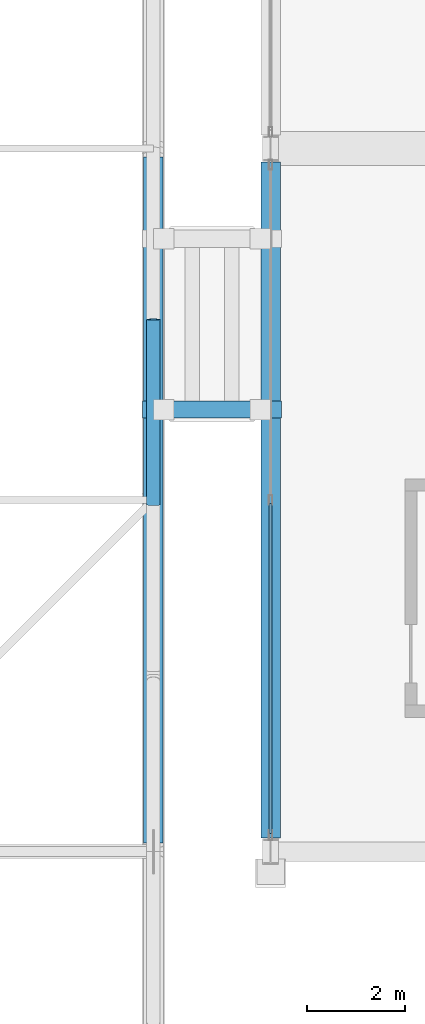
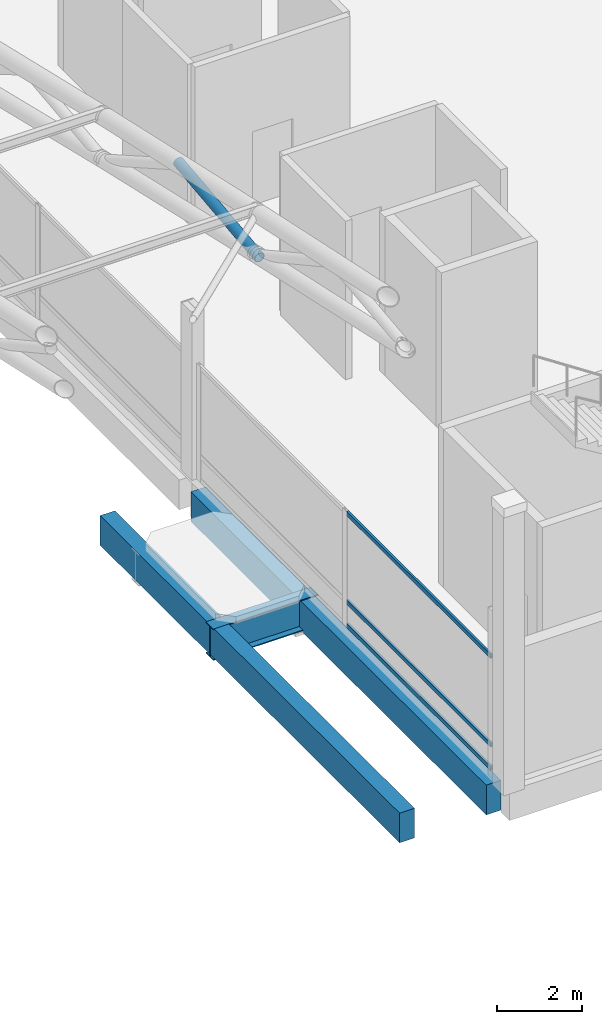
# One storey, part 52 of 193: 4 members, 3 beams, 1 element without a shape of its own.
"""IFC4 building model written with IfcOpenShell, lengths in metres."""

from ifc_helpers import new_model, si_unit, direction, frame, origin, origin_2d, place, context, subcontext, project, spatial, rectangle, hollow_rectangle, hollow_circle, i_section, extrude, material, material_profile, profile_set, type_object, element, aggregate, save


model = new_model("IFC4")

# Units and contexts
model_context = context("Model", 3, precision=1e-05, world=origin(), true_north=direction((0.0, 1.0)))
body_context = subcontext(model_context, "Body", "Model", "MODEL_VIEW")
ifc_project = project(units=[si_unit("LENGTHUNIT", "METRE"), si_unit("AREAUNIT", "SQUARE_METRE"), si_unit("VOLUMEUNIT", "CUBIC_METRE"), si_unit("PLANEANGLEUNIT", "RADIAN"), si_unit("MASSUNIT", "GRAM", prefix="KILO")], contexts=[model_context])

# Site, building, storey
site_placement = place(None, origin())
site = spatial("IfcSite", under=ifc_project, at=site_placement, CompositionType="ELEMENT")
building_placement = place(site_placement, origin())
building = spatial("IfcBuilding", under=site, at=building_placement, Name="Cendralis Lancet Convention Centre", CompositionType="ELEMENT")
storey_placement = place(building_placement, frame((0.0, 0.0, 10.199951171875)))
storey = spatial("IfcBuildingStorey", under=building, at=storey_placement, Name="L02", CompositionType="ELEMENT", Elevation=10.199951171875)

# Curtain wall, members
ifc_material_1 = material(Name="Anodised bronze architectural aluminium", Category="aluminium")
curtain_wall_type = type_object("IfcCurtainWallType", Name="ARC-CW-BL01", PredefinedType="USERDEFINED", material=ifc_material_1)
curtain_wall_placement = place(storey_placement, origin())
curtain_wall = element("IfcCurtainWall", 1, at=curtain_wall_placement, inside=storey, type_object=curtain_wall_type, Name="L02 Curtain Wall CW-BL1 #157", ObjectType="CURTAIN WALL", PredefinedType="USERDEFINED")
ifc_material_profile_1 = material_profile(ifc_material_1, hollow_rectangle(XDim=0.06005859375, YDim=0.1201171875, WallThickness=0.00390625, at=origin_2d()), Name="AL-TRAN 60x120x4.0")
ifc_profile_set_1 = profile_set([ifc_material_profile_1], Name="Anodised bronze architectural aluminium")
member_type_1 = type_object("IfcMemberType", Name="ARC-CW-TR01", PredefinedType="USERDEFINED", material=ifc_profile_set_1)
member_1_placement = place(storey_placement, frame((124.800048828125, 93.969970703125, 0.06005859375), z_axis=(0.0, 1.0, 0.0), x_axis=(-1.0, 0.0, 0.0)))
member_1 = element("IfcMember", 2, at=member_1_placement, type_object=member_type_1, Name="Transom CW2-CW-BL1-L02-157-T0BOT", ObjectType="TRANSOM", PredefinedType="USERDEFINED", context=body_context, shape_type="SweptSolid", body=[
    extrude(hollow_rectangle(XDim=0.06005859375, YDim=0.1201171875, WallThickness=0.00390625, at=origin_2d()), origin(), (0.0, 0.0, 1.0), 6.760009765625),
])
member_2_placement = place(storey_placement, frame((124.800048828125, 93.969970703125, 0.7314453125), z_axis=(0.0, 1.0, 0.0), x_axis=(-1.0, 0.0, 0.0)))
member_2 = element("IfcMember", 3, at=member_2_placement, type_object=member_type_1, Name="Transom CW2-CW-BL1-L02-157-T0MID", ObjectType="TRANSOM", PredefinedType="USERDEFINED", context=body_context, shape_type="SweptSolid", body=[
    extrude(hollow_rectangle(XDim=0.06005859375, YDim=0.1201171875, WallThickness=0.00390625, at=origin_2d()), origin(), (0.0, 0.0, 1.0), 6.760009765625),
])
member_3_placement = place(storey_placement, frame((124.800048828125, 93.969970703125, 3.26513671875), z_axis=(0.0, 1.0, 0.0), x_axis=(-1.0, 0.0, 0.0)))
member_3 = element("IfcMember", 4, at=member_3_placement, type_object=member_type_1, Name="Transom CW2-CW-BL1-L02-157-T0TOP", ObjectType="TRANSOM", PredefinedType="USERDEFINED", context=body_context, shape_type="SweptSolid", body=[
    extrude(hollow_rectangle(XDim=0.06005859375, YDim=0.1201171875, WallThickness=0.00390625, at=origin_2d()), origin(), (0.0, 0.0, 1.0), 6.760009765625),
])
aggregate(curtain_wall, [member_1, member_2, member_3])

# Beams
ifc_material_2 = material(Name="Steel S355", Category="steel")
ifc_material_profile_2 = material_profile(ifc_material_2, i_section(OverallWidth=0.35009765625, OverallDepth=0.89990234375, WebThickness=0.01611328125, FlangeThickness=0.028076171875, at=origin_2d()), Name="PG 900x350")
ifc_profile_set_2 = profile_set([ifc_material_profile_2], Name="Steel S355")
beam_type_1 = type_object("IfcBeamType", Name="STR-BM-SG05", PredefinedType="BEAM", material=ifc_profile_set_2)
beam_1_placement = place(storey_placement, frame((122.179931640625, 102.64990234375, -0.64990234375), z_axis=(1.0, 0.0, 0.0), x_axis=(0.0, 1.0, 0.0)))
element("IfcBeam", 5, at=beam_1_placement, inside=storey, type_object=beam_type_1, Name="L02 Beam SG05 #1880", PredefinedType="BEAM", context=body_context, shape_type="SweptSolid", body=[
    extrude(i_section(OverallWidth=0.35009765625, OverallDepth=0.89990234375, WebThickness=0.01611328125, FlangeThickness=0.028076171875, at=origin_2d()), origin(), (0.0, 0.0, 1.0), 2.840087890625),
])
ifc_material_3 = material(Name="Concrete G40 (C40/50)", Category="concrete")
ifc_material_profile_3 = material_profile(ifc_material_3, rectangle(XDim=0.39990234375, YDim=0.85009765625, at=origin_2d()), Name="RCB 400x850")
ifc_profile_set_3 = profile_set([ifc_material_profile_3], Name="Concrete G40 (C40/50)")
beam_type_2 = type_object("IfcBeamType", Name="STR-SP-SP02", PredefinedType="SPANDREL", material=ifc_profile_set_3)
beam_2_placement = place(storey_placement, frame((122.39990234375, 93.77783203125, -0.625), z_axis=(0.0, 1.0, 0.0), x_axis=(-1.0, 0.0, 0.0)))
element("IfcBeam", 6, at=beam_2_placement, inside=storey, type_object=beam_type_2, Name="L02 Beam SP02 #1306", PredefinedType="SPANDREL", context=body_context, shape_type="SweptSolid", body=[
    extrude(rectangle(XDim=0.39990234375, YDim=0.85009765625, at=origin_2d()), origin(), (0.0, 0.0, 1.0), 14.04443359375),
])
beam_3_placement = place(storey_placement, frame((124.800048828125, 93.875, -0.724853515625), z_axis=(0.0, 1.0, 0.0), x_axis=(-1.0, 0.0, 0.0)))
element("IfcBeam", 7, at=beam_3_placement, inside=storey, type_object=beam_type_2, Name="L02 Beam SP02 #1721", PredefinedType="SPANDREL", context=body_context, shape_type="SweptSolid", body=[
    extrude(rectangle(XDim=0.39990234375, YDim=0.85009765625, at=origin_2d()), origin(), (0.0, 0.0, 1.0), 13.85009765625),
])

# Member
ifc_material_profile_4 = material_profile(ifc_material_2, hollow_circle(Radius=0.136474609375, WallThickness=0.012451171875, at=origin_2d()), Name="CHS 273.0x12.5")
ifc_profile_set_4 = profile_set([ifc_material_profile_4], Name="Steel S355")
member_type_2 = type_object("IfcMemberType", Name="STR-TR-WD01B", PredefinedType="BRACE", material=ifc_profile_set_4)
member_4_placement = place(storey_placement, frame((122.39990234375, 100.70068359375, 11.435546875), z_axis=(0.0, 0.993527526481, 0.113591611157), x_axis=(-1.0, 0.0, 0.0)))
element("IfcMember", 8, at=member_4_placement, inside=storey, type_object=member_type_2, Name="ROOF TRUSS AT-V1-15 Warren Web 07-0", PredefinedType="BRACE", context=body_context, shape_type="SweptSolid", body=[
    extrude(hollow_circle(Radius=0.136474609375, WallThickness=0.012451171875, at=origin_2d()), origin(), (0.0, 0.0, 1.0), 3.823486328125),
])

save(model, "model.ifc")
